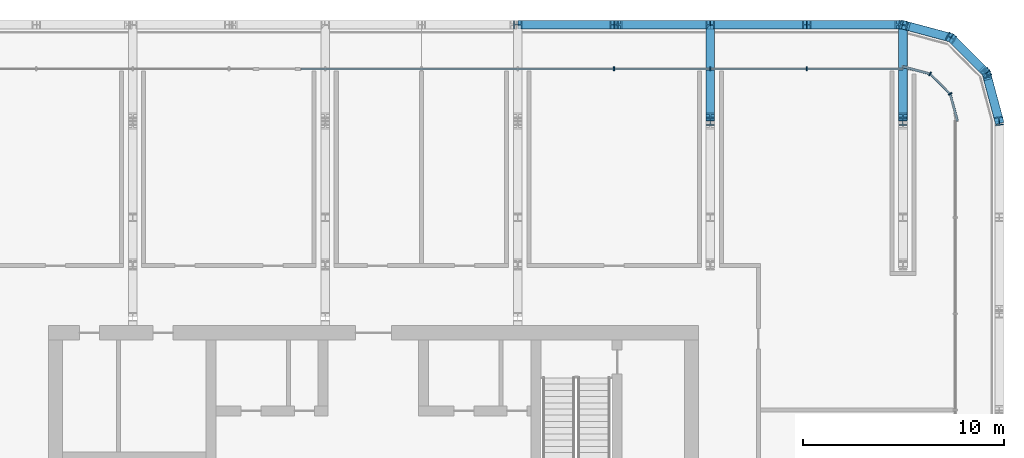
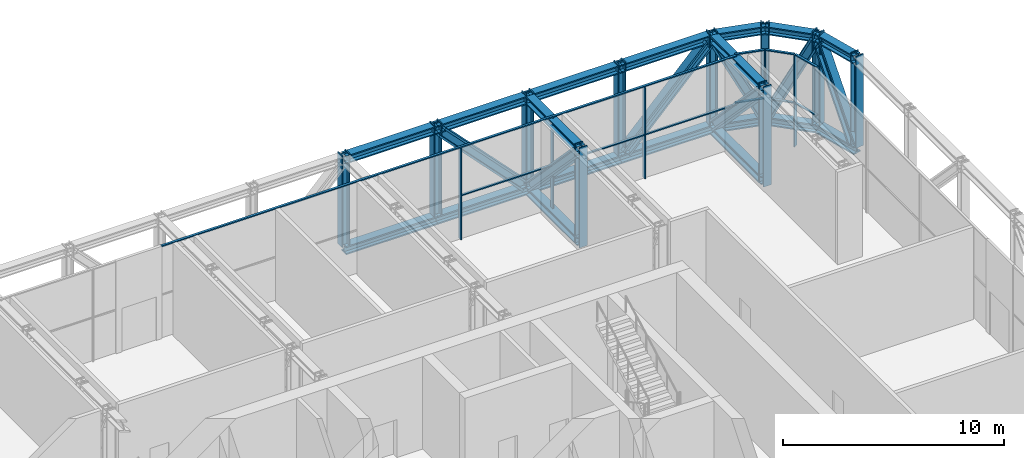
# One storey, part 10 of 22: 50 members, 2 elements without a shape of their own.
"""IFC4 building model written with IfcOpenShell, lengths in metres."""

from ifc_helpers import new_model, si_unit, direction, frame, origin, origin_2d, place, context, subcontext, project, spatial, rectangle, i_section, extrude, material, layer, layer_set, material_profile, profile_set, type_object, element, aggregate, save


model = new_model("IFC4")

# Units and contexts
model_context = context("Model", 3, precision=1e-05, world=origin(), true_north=direction((0.0, 1.0)))
body_context = subcontext(model_context, "Body", "Model", "MODEL_VIEW")
ifc_project = project(units=[si_unit("LENGTHUNIT", "METRE"), si_unit("AREAUNIT", "SQUARE_METRE"), si_unit("VOLUMEUNIT", "CUBIC_METRE"), si_unit("PLANEANGLEUNIT", "RADIAN"), si_unit("MASSUNIT", "GRAM", prefix="KILO")], contexts=[model_context])

# Site, building, storey
site_placement = place(None, origin())
site = spatial("IfcSite", under=ifc_project, at=site_placement, CompositionType="ELEMENT")
building_placement = place(site_placement, origin())
building = spatial("IfcBuilding", under=site, at=building_placement, Name="Madar Terraces", CompositionType="ELEMENT")
storey_placement = place(building_placement, frame((0.0, 0.0, 203.39990234375)))
storey = spatial("IfcBuildingStorey", under=building, at=storey_placement, Name="L53", CompositionType="ELEMENT", Elevation=203.39990234375)

# Members
ifc_material_1 = material(Name="Steel ASTM A992 Grade 50", Category="steel")
ifc_material_profile_1 = material_profile(ifc_material_1, i_section(OverallWidth=0.421630859375, OverallDepth=0.46484375, WebThickness=0.044921875, FlangeThickness=0.072509765625, at=origin_2d()), Name="W14x398")
ifc_profile_set_1 = profile_set([ifc_material_profile_1], Name="Steel ASTM A992 Grade 50")
member_type_1 = type_object("IfcMemberType", Name="BC7 W14x398", PredefinedType="CHORD", material=ifc_profile_set_1)
for number, where, z_axis, x_axis, name in (
    (1, (62.39990234375, 48.0, -0.1875), (-0.258824494443, 0.965924366126, 0.0), (-0.965924366126, -0.258824494443, 0.0), "Exoskeleton truss ring bottom chord BC7"),
    (2, (61.7568359375, 50.39990234375, -0.1875), (-0.70705765096, 0.707155907999, 0.0), (-0.707155907999, -0.70705765096, 0.0), "Exoskeleton truss ring bottom chord BC7"),
    (3, (60.0, 52.156982421875, -0.1875), (-0.965924366126, 0.258824494443, 0.0), (-0.258824494443, -0.965924366126, 0.0), "Exoskeleton truss ring bottom chord BC7"),
):
    element("IfcMember", number, at=place(storey_placement, frame(where, z_axis=z_axis, x_axis=x_axis)), inside=storey, type_object=member_type_1, Name=name, PredefinedType="CHORD", context=body_context, shape_type="SweptSolid", body=[
        extrude(i_section(OverallWidth=0.421630859375, OverallDepth=0.46484375, WebThickness=0.044921875, FlangeThickness=0.072509765625, at=origin_2d()), origin(), (0.0, 0.0, 1.0), 2.484619140625),
    ])
for number, where, z_axis, x_axis, name in (
    (4, (57.60009765625, 52.800048828125, -0.1875), (-1.0, 0.0, 0.0), (0.0, -1.0, 0.0), "Exoskeleton truss ring bottom chord BC7"),
    (5, (52.800048828125, 52.800048828125, -0.1875), (-1.0, 0.0, 0.0), (0.0, -1.0, 0.0), "Exoskeleton truss ring bottom chord BC7"),
    (6, (48.0, 52.800048828125, -0.1875), (-1.0, 0.0, 0.0), (0.0, -1.0, 0.0), "Exoskeleton truss ring bottom chord BC7"),
    (7, (43.199951171875, 52.800048828125, -0.1875), (-1.0, 0.0, 0.0), (0.0, -1.0, 0.0), "Exoskeleton truss ring bottom chord BC7"),
):
    element("IfcMember", number, at=place(storey_placement, frame(where, z_axis=z_axis, x_axis=x_axis)), inside=storey, type_object=member_type_1, Name=name, PredefinedType="CHORD", context=body_context, shape_type="SweptSolid", body=[
        extrude(i_section(OverallWidth=0.421630859375, OverallDepth=0.46484375, WebThickness=0.044921875, FlangeThickness=0.072509765625, at=origin_2d()), origin(), (0.0, 0.0, 1.0), 4.800048828125),
    ])
for number, where, z_axis, x_axis, name in (
    (8, (48.0, 52.589111328125, -0.1875), (0.0, -1.0, 0.0), (1.0, 0.0, 0.0), "Exoskeleton truss cross N48 bottom chord BC7"),
    (9, (57.60009765625, 52.589111328125, -0.1875), (0.0, -1.0, 0.0), (1.0, 0.0, 0.0), "Exoskeleton truss cross N57.6 bottom chord BC7"),
):
    element("IfcMember", number, at=place(storey_placement, frame(where, z_axis=z_axis, x_axis=x_axis)), inside=storey, type_object=member_type_1, Name=name, PredefinedType="CHORD", context=body_context, shape_type="SweptSolid", body=[
        extrude(i_section(OverallWidth=0.421630859375, OverallDepth=0.46484375, WebThickness=0.044921875, FlangeThickness=0.072509765625, at=origin_2d()), origin(), (0.0, 0.0, 1.0), 4.589111328125),
    ])

# Curtain wall, members
ifc_material_2 = material(Name="Glass, ceramic frit dark grey, with black aluminium frame", Category="aluminium")
ifc_layer = layer(ifc_material_2, 0.199951171875)
ifc_layer_set = layer_set([ifc_layer], Name="Facade curtain wall, tall glazing")
curtain_wall_type = type_object("IfcCurtainWallType", Name="Facade curtain wall, tall glazing", PredefinedType="NOTDEFINED", material=ifc_layer_set)
curtain_wall_1_placement = place(storey_placement, origin())
curtain_wall_1 = element("IfcCurtainWall", 10, at=curtain_wall_1_placement, inside=storey, type_object=curtain_wall_type, Name="Outer skin curtain wall north bay 1", PredefinedType="NOTDEFINED")
ifc_material_3 = material(Name="Aluminium, black anodised", Category="aluminium")
ifc_material_profile_2 = material_profile(ifc_material_3, rectangle(XDim=0.199951171875, YDim=0.06005859375, at=origin_2d()), Name="Facade mullion 60x200")
ifc_profile_set_2 = profile_set([ifc_material_profile_2], Name="Aluminium, black anodised")
member_type_2 = type_object("IfcMemberType", Name="Facade mullion 60x200", PredefinedType="MULLION", material=ifc_profile_set_2)
member_1_placement = place(storey_placement, frame((52.800048828125, 50.60009765625, 0.0), z_axis=(0.0, 0.0, 1.0), x_axis=(0.0, -1.0, 0.0)))
member_1 = element("IfcMember", 11, at=member_1_placement, type_object=member_type_2, Name="Mullion 1", PredefinedType="MULLION", context=body_context, shape_type="SweptSolid", body=[
    extrude(rectangle(XDim=0.199951171875, YDim=0.06005859375, at=origin_2d()), origin(), (0.0, 0.0, 1.0), 5.0400390625),
])
member_2_placement = place(storey_placement, frame((48.0, 50.60009765625, 0.0), z_axis=(0.0, 0.0, 1.0), x_axis=(0.0, -1.0, 0.0)))
member_2 = element("IfcMember", 12, at=member_2_placement, type_object=member_type_2, Name="Mullion 2", PredefinedType="MULLION", context=body_context, shape_type="SweptSolid", body=[
    extrude(rectangle(XDim=0.199951171875, YDim=0.06005859375, at=origin_2d()), origin(), (0.0, 0.0, 1.0), 5.0400390625),
])
member_3_placement = place(storey_placement, frame((43.199951171875, 50.60009765625, 0.0), z_axis=(0.0, 0.0, 1.0), x_axis=(0.0, -1.0, 0.0)))
member_3 = element("IfcMember", 13, at=member_3_placement, type_object=member_type_2, Name="Mullion 3", PredefinedType="MULLION", context=body_context, shape_type="SweptSolid", body=[
    extrude(rectangle(XDim=0.199951171875, YDim=0.06005859375, at=origin_2d()), origin(), (0.0, 0.0, 1.0), 5.0400390625),
])

curtain_wall_2_placement = place(storey_placement, origin())
curtain_wall_2 = element("IfcCurtainWall", 14, at=curtain_wall_2_placement, inside=storey, type_object=curtain_wall_type, Name="Outer skin curtain wall north-east corner", PredefinedType="NOTDEFINED")
member_4_placement = place(storey_placement, frame((59.95556640625, 49.360107421875, 0.0), z_axis=(0.0, 0.0, 1.0), x_axis=(-0.866025386925, -0.500000029202, 0.0)))
member_4 = element("IfcMember", 15, at=member_4_placement, type_object=member_type_2, Name="Mullion 1", PredefinedType="MULLION", context=body_context, shape_type="SweptSolid", body=[
    extrude(rectangle(XDim=0.199951171875, YDim=0.06005859375, at=origin_2d()), origin(), (0.0, 0.0, 1.0), 5.0400390625),
])
member_5_placement = place(storey_placement, frame((58.9599609375, 50.35546875, 0.0), z_axis=(0.0, 0.0, 1.0), x_axis=(-0.500000029202, -0.866025386925, 0.0)))
member_5 = element("IfcMember", 16, at=member_5_placement, type_object=member_type_2, Name="Mullion 2", PredefinedType="MULLION", context=body_context, shape_type="SweptSolid", body=[
    extrude(rectangle(XDim=0.199951171875, YDim=0.06005859375, at=origin_2d()), origin(), (0.0, 0.0, 1.0), 5.0400390625),
])

# Member
ifc_material_4 = material(Name="Aluminium, black anodised", Category="aluminium")
ifc_material_profile_3 = material_profile(ifc_material_4, rectangle(XDim=0.1201171875, YDim=0.06005859375, at=origin_2d()), Name="Facade transom 60x120")
ifc_profile_set_3 = profile_set([ifc_material_profile_3], Name="Aluminium, black anodised")
member_type_3 = type_object("IfcMemberType", Name="Facade transom 60x120", PredefinedType="USERDEFINED", material=ifc_profile_set_3)
member_6_placement = place(storey_placement, frame((57.60009765625, 50.60009765625, 5.070068359375), z_axis=(-1.0, 0.0, 0.0), x_axis=(0.0, -1.0, 0.0)))
member_6 = element("IfcMember", 17, at=member_6_placement, type_object=member_type_3, Name="Transom 1", ObjectType="TRANSOM", PredefinedType="USERDEFINED", context=body_context, shape_type="SweptSolid", body=[
    extrude(rectangle(XDim=0.1201171875, YDim=0.06005859375, at=origin_2d()), origin(), (0.0, 0.0, 1.0), 30.0),
])

member_7_placement = place(storey_placement, frame((57.60009765625, 50.60009765625, 2.400146484375), z_axis=(-1.0, 0.0, 0.0), x_axis=(0.0, -1.0, 0.0)))
member_7 = element("IfcMember", 18, at=member_7_placement, type_object=member_type_3, Name="Transom 2", ObjectType="TRANSOM", PredefinedType="USERDEFINED", context=body_context, shape_type="SweptSolid", body=[
    extrude(rectangle(XDim=0.1201171875, YDim=0.06005859375, at=origin_2d()), origin(), (0.0, 0.0, 1.0), 4.77001953125),
])

member_8_placement = place(storey_placement, frame((52.77001953125, 50.60009765625, 2.400146484375), z_axis=(-1.0, 0.0, 0.0), x_axis=(0.0, -1.0, 0.0)))
member_8 = element("IfcMember", 19, at=member_8_placement, type_object=member_type_3, Name="Transom 3", ObjectType="TRANSOM", PredefinedType="USERDEFINED", context=body_context, shape_type="SweptSolid", body=[
    extrude(rectangle(XDim=0.1201171875, YDim=0.06005859375, at=origin_2d()), origin(), (0.0, 0.0, 1.0), 4.739990234375),
])

member_9_placement = place(storey_placement, frame((47.969970703125, 50.60009765625, 2.400146484375), z_axis=(-1.0, 0.0, 0.0), x_axis=(0.0, -1.0, 0.0)))
member_9 = element("IfcMember", 20, at=member_9_placement, type_object=member_type_3, Name="Transom 4", ObjectType="TRANSOM", PredefinedType="USERDEFINED", context=body_context, shape_type="SweptSolid", body=[
    extrude(rectangle(XDim=0.1201171875, YDim=0.06005859375, at=origin_2d()), origin(), (0.0, 0.0, 1.0), 4.739990234375),
])

aggregate(curtain_wall_1, [member_1, member_2, member_3, member_6, member_7, member_8, member_9])

member_10_placement = place(storey_placement, frame((60.320068359375, 48.0, 5.070068359375), z_axis=(-0.258842352791, 0.965919580711, 0.0), x_axis=(-0.965919580711, -0.258842352791, 0.0)))
member_10 = element("IfcMember", 21, at=member_10_placement, type_object=member_type_3, Name="Transom 1", ObjectType="TRANSOM", PredefinedType="USERDEFINED", context=body_context, shape_type="SweptSolid", body=[
    extrude(rectangle(XDim=0.1201171875, YDim=0.06005859375, at=origin_2d()), origin(), (0.0, 0.0, 1.0), 1.3779296875),
])

member_11_placement = place(storey_placement, frame((60.320068359375, 48.0, 2.400146484375), z_axis=(-0.258842352791, 0.965919580711, 0.0), x_axis=(-0.965919580711, -0.258842352791, 0.0)))
member_11 = element("IfcMember", 22, at=member_11_placement, type_object=member_type_3, Name="Transom 2", ObjectType="TRANSOM", PredefinedType="USERDEFINED", context=body_context, shape_type="SweptSolid", body=[
    extrude(rectangle(XDim=0.1201171875, YDim=0.06005859375, at=origin_2d()), origin(), (0.0, 0.0, 1.0), 1.3779296875),
])

member_12_placement = place(storey_placement, frame((59.934326171875, 49.381103515625, 5.070068359375), z_axis=(-0.707016225155, 0.707197325622, 0.0), x_axis=(-0.707197325622, -0.707016225155, 0.0)))
member_12 = element("IfcMember", 23, at=member_12_placement, type_object=member_type_3, Name="Transom 3", ObjectType="TRANSOM", PredefinedType="USERDEFINED", context=body_context, shape_type="SweptSolid", body=[
    extrude(rectangle(XDim=0.1201171875, YDim=0.06005859375, at=origin_2d()), origin(), (0.0, 0.0, 1.0), 1.34814453125),
])

member_13_placement = place(storey_placement, frame((59.934326171875, 49.381103515625, 2.400146484375), z_axis=(-0.707016225155, 0.707197325622, 0.0), x_axis=(-0.707197325622, -0.707016225155, 0.0)))
member_13 = element("IfcMember", 24, at=member_13_placement, type_object=member_type_3, Name="Transom 4", ObjectType="TRANSOM", PredefinedType="USERDEFINED", context=body_context, shape_type="SweptSolid", body=[
    extrude(rectangle(XDim=0.1201171875, YDim=0.06005859375, at=origin_2d()), origin(), (0.0, 0.0, 1.0), 1.34814453125),
])

member_14_placement = place(storey_placement, frame((58.930908203125, 50.36328125, 5.070068359375), z_axis=(-0.965907707525, 0.258886655787, 0.0), x_axis=(-0.258886655787, -0.965907707525, 0.0)))
member_14 = element("IfcMember", 25, at=member_14_placement, type_object=member_type_3, Name="Transom 5", ObjectType="TRANSOM", PredefinedType="USERDEFINED", context=body_context, shape_type="SweptSolid", body=[
    extrude(rectangle(XDim=0.1201171875, YDim=0.06005859375, at=origin_2d()), origin(), (0.0, 0.0, 1.0), 1.377685546875),
])

member_15_placement = place(storey_placement, frame((58.930908203125, 50.36328125, 2.400146484375), z_axis=(-0.965907707525, 0.258886655787, 0.0), x_axis=(-0.258886655787, -0.965907707525, 0.0)))
member_15 = element("IfcMember", 26, at=member_15_placement, type_object=member_type_3, Name="Transom 6", ObjectType="TRANSOM", PredefinedType="USERDEFINED", context=body_context, shape_type="SweptSolid", body=[
    extrude(rectangle(XDim=0.1201171875, YDim=0.06005859375, at=origin_2d()), origin(), (0.0, 0.0, 1.0), 1.377685546875),
])

aggregate(curtain_wall_2, [member_4, member_10, member_11, member_5, member_12, member_13, member_14, member_15])

# Members
ifc_material_5 = material(Name="Steel ASTM A992 Grade 50", Category="steel")
ifc_material_profile_4 = material_profile(ifc_material_5, i_section(OverallWidth=0.41650390625, OverallDepth=0.444580078125, WebThickness=0.0390625, FlangeThickness=0.062744140625, at=origin_2d()), Name="W14x342")
ifc_profile_set_4 = profile_set([ifc_material_profile_4], Name="Steel ASTM A992 Grade 50")
member_type_4 = type_object("IfcMemberType", Name="TC7 W14x342", PredefinedType="CHORD", material=ifc_profile_set_4)
for number, where, z_axis, x_axis, name in (
    (27, (62.39990234375, 48.0, 4.807861328125), (-0.258824494443, 0.965924366126, 0.0), (-0.965924366126, -0.258824494443, 0.0), "Exoskeleton truss ring top chord TC7"),
    (28, (61.7568359375, 50.39990234375, 4.807861328125), (-0.70705765096, 0.707155907999, 0.0), (-0.707155907999, -0.70705765096, 0.0), "Exoskeleton truss ring top chord TC7"),
    (29, (60.0, 52.156982421875, 4.807861328125), (-0.965924366126, 0.258824494443, 0.0), (-0.258824494443, -0.965924366126, 0.0), "Exoskeleton truss ring top chord TC7"),
):
    element("IfcMember", number, at=place(storey_placement, frame(where, z_axis=z_axis, x_axis=x_axis)), inside=storey, type_object=member_type_4, Name=name, PredefinedType="CHORD", context=body_context, shape_type="SweptSolid", body=[
        extrude(i_section(OverallWidth=0.41650390625, OverallDepth=0.444580078125, WebThickness=0.0390625, FlangeThickness=0.062744140625, at=origin_2d()), origin(), (0.0, 0.0, 1.0), 2.484619140625),
    ])
for number, where, z_axis, x_axis, name in (
    (30, (57.60009765625, 52.800048828125, 4.807861328125), (-1.0, 0.0, 0.0), (0.0, -1.0, 0.0), "Exoskeleton truss ring top chord TC7"),
    (31, (52.800048828125, 52.800048828125, 4.807861328125), (-1.0, 0.0, 0.0), (0.0, -1.0, 0.0), "Exoskeleton truss ring top chord TC7"),
    (32, (48.0, 52.800048828125, 4.807861328125), (-1.0, 0.0, 0.0), (0.0, -1.0, 0.0), "Exoskeleton truss ring top chord TC7"),
    (33, (43.199951171875, 52.800048828125, 4.807861328125), (-1.0, 0.0, 0.0), (0.0, -1.0, 0.0), "Exoskeleton truss ring top chord TC7"),
):
    element("IfcMember", number, at=place(storey_placement, frame(where, z_axis=z_axis, x_axis=x_axis)), inside=storey, type_object=member_type_4, Name=name, PredefinedType="CHORD", context=body_context, shape_type="SweptSolid", body=[
        extrude(i_section(OverallWidth=0.41650390625, OverallDepth=0.444580078125, WebThickness=0.0390625, FlangeThickness=0.062744140625, at=origin_2d()), origin(), (0.0, 0.0, 1.0), 4.800048828125),
    ])
for number, where, z_axis, x_axis, name in (
    (34, (48.0, 52.591796875, 4.807861328125), (0.0, -1.0, 0.0), (1.0, 0.0, 0.0), "Exoskeleton truss cross N48 top chord TC7"),
    (35, (57.60009765625, 52.591796875, 4.807861328125), (0.0, -1.0, 0.0), (1.0, 0.0, 0.0), "Exoskeleton truss cross N57.6 top chord TC7"),
):
    element("IfcMember", number, at=place(storey_placement, frame(where, z_axis=z_axis, x_axis=x_axis)), inside=storey, type_object=member_type_4, Name=name, PredefinedType="CHORD", context=body_context, shape_type="SweptSolid", body=[
        extrude(i_section(OverallWidth=0.41650390625, OverallDepth=0.444580078125, WebThickness=0.0390625, FlangeThickness=0.062744140625, at=origin_2d()), origin(), (0.0, 0.0, 1.0), 4.591796875),
    ])
ifc_material_6 = material(Name="Steel ASTM A992 Grade 50", Category="steel")
ifc_material_profile_5 = material_profile(ifc_material_6, i_section(OverallWidth=0.436767578125, OverallDepth=0.51318359375, WebThickness=0.060546875, FlangeThickness=0.096923828125, at=origin_2d()), Name="W14x550")
ifc_profile_set_5 = profile_set([ifc_material_profile_5], Name="Steel ASTM A992 Grade 50")
member_type_5 = type_object("IfcMemberType", Name="TD7 W14x550", PredefinedType="BRACE", material=ifc_profile_set_5)
member_16_placement = place(storey_placement, frame((62.3701171875, 48.111572265625, 0.044921875), z_axis=(-0.115247273497, 0.430179463645, 0.895356741757), x_axis=(-0.96593647238, -0.25877931008, 0.0)))
element("IfcMember", 36, at=member_16_placement, inside=storey, type_object=member_type_5, Name="Exoskeleton truss ring diagonal TD7", PredefinedType="BRACE", context=body_context, shape_type="SweptSolid", body=[
    extrude(i_section(OverallWidth=0.436767578125, OverallDepth=0.51318359375, WebThickness=0.060546875, FlangeThickness=0.096923828125, at=origin_2d()), origin(), (0.0, 0.0, 1.0), 5.071533203125),
])
member_17_placement = place(storey_placement, frame((61.6787109375, 50.478271484375, 4.585693359375), z_axis=(-0.314889147406, 0.314889147406, -0.895371235685), x_axis=(-0.707106781187, -0.707106781187, 0.0)))
element("IfcMember", 37, at=member_17_placement, inside=storey, type_object=member_type_5, Name="Exoskeleton truss ring diagonal TD7", PredefinedType="BRACE", context=body_context, shape_type="SweptSolid", body=[
    extrude(i_section(OverallWidth=0.436767578125, OverallDepth=0.51318359375, WebThickness=0.060546875, FlangeThickness=0.096923828125, at=origin_2d()), origin(), (0.0, 0.0, 1.0), 5.0712890625),
])
member_18_placement = place(storey_placement, frame((59.888427734375, 52.186767578125, 0.044921875), z_axis=(-0.430177076527, 0.115294773756, 0.895351773313), x_axis=(-0.258880162033, -0.965909447985, 0.0)))
element("IfcMember", 38, at=member_18_placement, inside=storey, type_object=member_type_5, Name="Exoskeleton truss ring diagonal TD7", PredefinedType="BRACE", context=body_context, shape_type="SweptSolid", body=[
    extrude(i_section(OverallWidth=0.436767578125, OverallDepth=0.51318359375, WebThickness=0.060546875, FlangeThickness=0.096923828125, at=origin_2d()), origin(), (0.0, 0.0, 1.0), 5.071533203125),
])
for number, where, z_axis, x_axis, name in (
    (39, (57.386474609375, 52.800048828125, 4.585693359375), (-0.692853764203, 0.0, -0.721078124359), (0.0, -1.0, 0.0), "Exoskeleton truss ring diagonal TD7"),
    (40, (47.776611328125, 52.800048828125, 0.044921875), (-0.692853764203, 0.0, 0.721078124359), (0.0, -1.0, 0.0), "Exoskeleton truss ring diagonal TD7"),
    (41, (48.0, 52.57666015625, 0.044921875), (0.0, -0.692853764203, 0.721078124359), (1.0, 0.0, 0.0), "Exoskeleton truss cross N48 diagonal TD7"),
    (42, (57.60009765625, 52.57666015625, 0.044921875), (0.0, -0.692853764203, 0.721078124359), (1.0, 0.0, 0.0), "Exoskeleton truss cross N57.6 diagonal TD7"),
):
    element("IfcMember", number, at=place(storey_placement, frame(where, z_axis=z_axis, x_axis=x_axis)), inside=storey, type_object=member_type_5, Name=name, PredefinedType="BRACE", context=body_context, shape_type="SweptSolid", body=[
        extrude(i_section(OverallWidth=0.436767578125, OverallDepth=0.51318359375, WebThickness=0.060546875, FlangeThickness=0.096923828125, at=origin_2d()), origin(), (0.0, 0.0, 1.0), 6.297119140625),
    ])
ifc_material_7 = material(Name="Steel ASTM A992 Grade 50", Category="steel")
ifc_material_profile_6 = material_profile(ifc_material_7, i_section(OverallWidth=0.408935546875, OverallDepth=0.424072265625, WebThickness=0.03271484375, FlangeThickness=0.052490234375, at=origin_2d()), Name="W14x283")
ifc_profile_set_6 = profile_set([ifc_material_profile_6], Name="Steel ASTM A992 Grade 50")
member_type_6 = type_object("IfcMemberType", Name="TV7 W14x283", PredefinedType="POST", material=ifc_profile_set_6)
for number, where, z_axis, x_axis, name in (
    (43, (62.39990234375, 48.0, 0.044921875), (0.0, 0.0, 1.0), (-0.991444863652, -0.130526174916, 0.0), "Exoskeleton truss ring post TV7"),
    (44, (61.7568359375, 50.39990234375, 0.044921875), (0.0, 0.0, 1.0), (-0.866025412511, -0.499999984885, 0.0), "Exoskeleton truss ring post TV7"),
    (45, (60.0, 52.156982421875, 0.044921875), (0.0, 0.0, 1.0), (-0.499999984885, -0.866025412511, 0.0), "Exoskeleton truss ring post TV7"),
    (46, (57.60009765625, 52.800048828125, 0.044921875), (0.0, 0.0, 1.0), (-0.130526174916, -0.991444863652, 0.0), "Exoskeleton truss ring post TV7"),
    (47, (52.800048828125, 52.800048828125, 0.044921875), (0.0, 0.0, 1.0), (0.0, -1.0, 0.0), "Exoskeleton truss ring post TV7"),
    (48, (48.0, 52.800048828125, 0.044921875), (0.0, 0.0, 1.0), (0.0, -1.0, 0.0), "Exoskeleton truss ring post TV7"),
    (49, (43.199951171875, 52.800048828125, 0.044921875), (0.0, 0.0, 1.0), (0.0, -1.0, 0.0), "Exoskeleton truss ring post TV7"),
    (50, (38.39990234375, 52.800048828125, 0.044921875), (0.0, 0.0, 1.0), (0.0, -1.0, 0.0), "Exoskeleton truss ring post TV7"),
):
    element("IfcMember", number, at=place(storey_placement, frame(where, z_axis=z_axis, x_axis=x_axis)), inside=storey, type_object=member_type_6, Name=name, PredefinedType="POST", context=body_context, shape_type="SweptSolid", body=[
        extrude(i_section(OverallWidth=0.408935546875, OverallDepth=0.424072265625, WebThickness=0.03271484375, FlangeThickness=0.052490234375, at=origin_2d()), origin(), (0.0, 0.0, 1.0), 5.05517578125),
    ])
for number, where, z_axis, x_axis, name in (
    (51, (48.0, 48.0, -0.419921875), (0.0, 0.0, 1.0), (-1.0, 0.0, 0.0), "Exoskeleton truss cross N48 post TV7"),
    (52, (57.60009765625, 48.0, -0.419921875), (0.0, 0.0, 1.0), (-1.0, 0.0, 0.0), "Exoskeleton truss cross N57.6 post TV7"),
):
    element("IfcMember", number, at=place(storey_placement, frame(where, z_axis=z_axis, x_axis=x_axis)), inside=storey, type_object=member_type_6, Name=name, PredefinedType="POST", context=body_context, shape_type="SweptSolid", body=[
        extrude(i_section(OverallWidth=0.408935546875, OverallDepth=0.424072265625, WebThickness=0.03271484375, FlangeThickness=0.052490234375, at=origin_2d()), origin(), (0.0, 0.0, 1.0), 5.52001953125),
    ])

save(model, "model.ifc")
